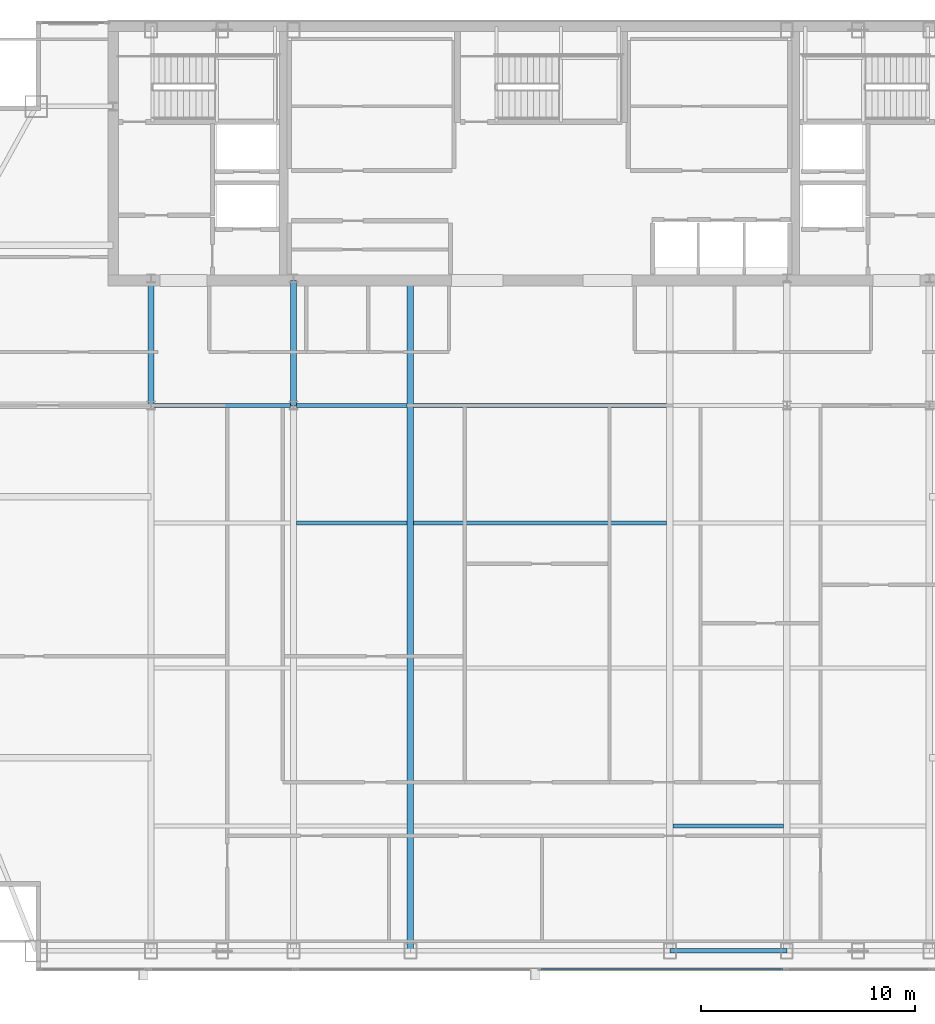
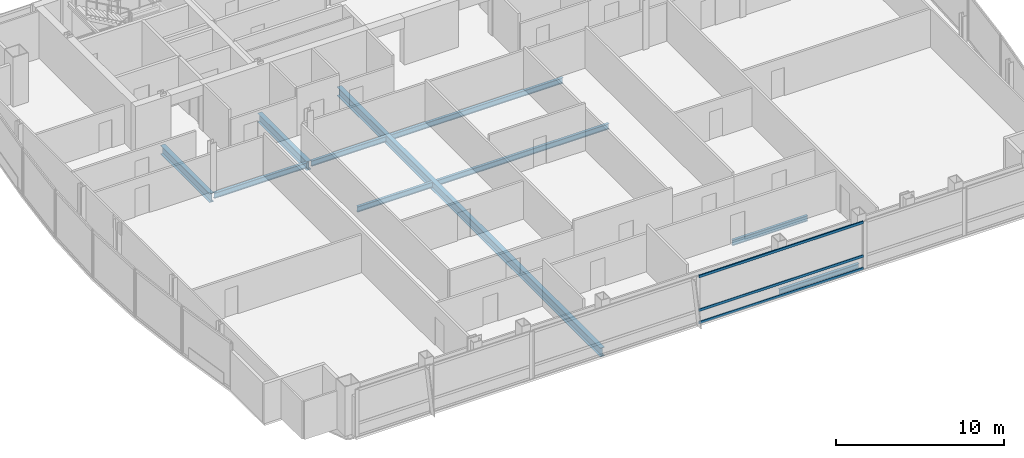
# One storey, part 13 of 30: 10 beams, 3 members, 1 element without a shape of its own.
"""IFC4 building model written with IfcOpenShell, lengths in metres."""

from ifc_helpers import new_model, si_unit, direction, frame, origin, origin_2d, place, context, subcontext, project, spatial, hollow_rectangle, i_section, extrude, material, material_profile, profile_set, type_object, element, aggregate, save


model = new_model("IFC4")

# Units and contexts
model_context = context("Model", 3, precision=1e-05, world=origin(), true_north=direction((0.0, 1.0)))
body_context = subcontext(model_context, "Body", "Model", "MODEL_VIEW")
ifc_project = project(units=[si_unit("LENGTHUNIT", "METRE"), si_unit("AREAUNIT", "SQUARE_METRE"), si_unit("VOLUMEUNIT", "CUBIC_METRE"), si_unit("PLANEANGLEUNIT", "RADIAN"), si_unit("MASSUNIT", "GRAM", prefix="KILO")], contexts=[model_context])

# Site, building, storey
site_placement = place(None, origin())
site = spatial("IfcSite", under=ifc_project, at=site_placement, CompositionType="ELEMENT")
building_placement = place(site_placement, origin())
building = spatial("IfcBuilding", under=site, at=building_placement, Name="Khoronbel Lancet Exchange", CompositionType="ELEMENT")
storey_placement = place(building_placement, frame((0.0, 0.0, 280.60009765625)))
storey = spatial("IfcBuildingStorey", under=building, at=storey_placement, Name="L72", CompositionType="ELEMENT", Elevation=280.60009765625)

# Beams
ifc_material_1 = material(Name="Steel S355", Category="steel")
ifc_material_profile_1 = material_profile(ifc_material_1, i_section(OverallWidth=0.300048828125, OverallDepth=0.64990234375, WebThickness=0.01611328125, FlangeThickness=0.031005859375, at=origin_2d()), Name="HEB 650")
ifc_profile_set_1 = profile_set([ifc_material_profile_1], Name="Steel S355")
beam_type_1 = type_object("IfcBeamType", Name="BM-BG4", PredefinedType="BEAM", material=ifc_profile_set_1)
for number, where, z_axis, x_axis, name in (
    (1, (18.22509765625, 35.699951171875, -0.485107421875), (0.0, 1.0, 0.0), (-1.0, 0.0, 0.0), "Level L72 spine tie girder GN1"),
    (2, (24.89990234375, 35.699951171875, -0.485107421875), (0.0, 1.0, 0.0), (-1.0, 0.0, 0.0), "Level L72 spine tie girder GN2"),
):
    element("IfcBeam", number, at=place(storey_placement, frame(where, z_axis=z_axis, x_axis=x_axis)), inside=storey, type_object=beam_type_1, Name=name, PredefinedType="BEAM", context=body_context, shape_type="SweptSolid", body=[
        extrude(i_section(OverallWidth=0.300048828125, OverallDepth=0.64990234375, WebThickness=0.01611328125, FlangeThickness=0.031005859375, at=origin_2d()), origin(), (0.0, 0.0, 1.0), 5.85009765625),
    ])
beam_1_placement = place(storey_placement, frame((30.375, 10.14990234375, -0.485107421875), z_axis=(0.0, 1.0, 0.0), x_axis=(-1.0, 0.0, 0.0)))
element("IfcBeam", 3, at=beam_1_placement, inside=storey, type_object=beam_type_1, Name="Level L72 primary floor girder G3", PredefinedType="BEAM", context=body_context, shape_type="SweptSolid", body=[
    extrude(i_section(OverallWidth=0.300048828125, OverallDepth=0.64990234375, WebThickness=0.01611328125, FlangeThickness=0.031005859375, at=origin_2d()), origin(), (0.0, 0.0, 1.0), 31.400146484375),
])
ifc_material_profile_2 = material_profile(ifc_material_1, i_section(OverallWidth=0.179931640625, OverallDepth=0.39990234375, WebThickness=0.008544921875, FlangeThickness=0.013427734375, at=origin_2d()), Name="IPE 400")
ifc_profile_set_2 = profile_set([ifc_material_profile_2], Name="Steel S355")
beam_type_2 = type_object("IfcBeamType", Name="BM-BJ5", PredefinedType="JOIST", material=ifc_profile_set_2)
for number, where, z_axis, x_axis, name in (
    (4, (42.675048828125, 16.0, -0.360107421875), (1.0, 0.0, 0.0), (0.0, 1.0, 0.0), "Level L72 secondary composite joist J04"),
    (5, (25.050048828125, 30.199951171875, -0.360107421875), (1.0, 0.0, 0.0), (0.0, 1.0, 0.0), "Level L72 secondary composite joist J12"),
):
    element("IfcBeam", number, at=place(storey_placement, frame(where, z_axis=z_axis, x_axis=x_axis)), inside=storey, type_object=beam_type_2, Name=name, PredefinedType="JOIST", context=body_context, shape_type="SweptSolid", body=[
        extrude(i_section(OverallWidth=0.179931640625, OverallDepth=0.39990234375, WebThickness=0.008544921875, FlangeThickness=0.013427734375, at=origin_2d()), origin(), (0.0, 0.0, 1.0), 5.175048828125),
    ])
beam_2_placement = place(storey_placement, frame((30.52490234375, 30.199951171875, -0.360107421875), z_axis=(1.0, 0.0, 0.0), x_axis=(0.0, 1.0, 0.0)))
element("IfcBeam", 6, at=beam_2_placement, inside=storey, type_object=beam_type_2, Name="Level L72 secondary composite joist J13", PredefinedType="JOIST", context=body_context, shape_type="SweptSolid", body=[
    extrude(i_section(OverallWidth=0.179931640625, OverallDepth=0.39990234375, WebThickness=0.008544921875, FlangeThickness=0.013427734375, at=origin_2d()), origin(), (0.0, 0.0, 1.0), 11.85009765625),
])
beam_3_placement = place(storey_placement, frame((18.375, 35.699951171875, -0.360107421875), z_axis=(1.0, 0.0, 0.0), x_axis=(0.0, 1.0, 0.0)))
element("IfcBeam", 7, at=beam_3_placement, inside=storey, type_object=beam_type_2, Name="Level L72 secondary composite joist J16", PredefinedType="JOIST", context=body_context, shape_type="SweptSolid", body=[
    extrude(i_section(OverallWidth=0.179931640625, OverallDepth=0.39990234375, WebThickness=0.008544921875, FlangeThickness=0.013427734375, at=origin_2d()), origin(), (0.0, 0.0, 1.0), 6.375),
])
beam_4_placement = place(storey_placement, frame((25.050048828125, 35.699951171875, -0.360107421875), z_axis=(1.0, 0.0, 0.0), x_axis=(0.0, 1.0, 0.0)))
element("IfcBeam", 8, at=beam_4_placement, inside=storey, type_object=beam_type_2, Name="Level L72 secondary composite joist J17", PredefinedType="JOIST", context=body_context, shape_type="SweptSolid", body=[
    extrude(i_section(OverallWidth=0.179931640625, OverallDepth=0.39990234375, WebThickness=0.008544921875, FlangeThickness=0.013427734375, at=origin_2d()), origin(), (0.0, 0.0, 1.0), 5.175048828125),
])
beam_5_placement = place(storey_placement, frame((30.52490234375, 35.699951171875, -0.360107421875), z_axis=(1.0, 0.0, 0.0), x_axis=(0.0, 1.0, 0.0)))
element("IfcBeam", 9, at=beam_5_placement, inside=storey, type_object=beam_type_2, Name="Level L72 secondary composite joist J18", PredefinedType="JOIST", context=body_context, shape_type="SweptSolid", body=[
    extrude(i_section(OverallWidth=0.179931640625, OverallDepth=0.39990234375, WebThickness=0.008544921875, FlangeThickness=0.013427734375, at=origin_2d()), origin(), (0.0, 0.0, 1.0), 11.85009765625),
])
ifc_material_profile_3 = material_profile(ifc_material_1, i_section(OverallWidth=0.2099609375, OverallDepth=0.550048828125, WebThickness=0.010986328125, FlangeThickness=0.01708984375, at=origin_2d()), Name="IPE 550")
ifc_profile_set_3 = profile_set([ifc_material_profile_3], Name="Steel S355")
beam_type_3 = type_object("IfcBeamType", Name="BM-BSP3", PredefinedType="SPANDREL", material=ifc_profile_set_3)
beam_6_placement = place(storey_placement, frame((42.52490234375, 10.14990234375, -0.43505859375), z_axis=(1.0, 0.0, 0.0), x_axis=(0.0, 1.0, 0.0)))
element("IfcBeam", 10, at=beam_6_placement, inside=storey, type_object=beam_type_3, Name="Level L72 perimeter spandrel beam SP06", PredefinedType="SPANDREL", context=body_context, shape_type="SweptSolid", body=[
    extrude(i_section(OverallWidth=0.2099609375, OverallDepth=0.550048828125, WebThickness=0.010986328125, FlangeThickness=0.01708984375, at=origin_2d()), origin(), (0.0, 0.0, 1.0), 5.47509765625),
])

# Curtain wall, members
ifc_material_2 = material(Name="Low-E Solar Control Insulating Glass", Category="glass")
curtain_wall_type = type_object("IfcCurtainWallType", Name="CW-3", PredefinedType="NOTDEFINED", material=ifc_material_2)
curtain_wall_placement = place(storey_placement, origin())
curtain_wall = element("IfcCurtainWall", 11, at=curtain_wall_placement, inside=storey, type_object=curtain_wall_type, Name="Unitised curtain wall CW-L72-SCV", PredefinedType="NOTDEFINED")
ifc_material_3 = material(Name="Bronze-Anodised Aluminium 6063-T6", Category="aluminium")
ifc_material_profile_4 = material_profile(ifc_material_3, hollow_rectangle(XDim=0.0849609375, YDim=0.179931640625, WallThickness=0.0048828125, at=origin_2d()), Name="ALU TRANSOM 85x180")
ifc_profile_set_4 = profile_set([ifc_material_profile_4], Name="Bronze-Anodised Aluminium 6063-T6")
member_type = type_object("IfcMemberType", Name="MEM-CWT1", PredefinedType="USERDEFINED", material=ifc_profile_set_4)
member_1_placement = place(storey_placement, frame((36.492431640625, 9.2900390625, 0.04248046875), z_axis=(1.0, 0.0, 0.0), x_axis=(0.0, 1.0, 0.0)))
member_1 = element("IfcMember", 12, at=member_1_placement, type_object=member_type, Name="CW3 transom 2.1", ObjectType="TRANSOM", PredefinedType="USERDEFINED", context=body_context, shape_type="SweptSolid", body=[
    extrude(hollow_rectangle(XDim=0.0849609375, YDim=0.179931640625, WallThickness=0.0048828125, at=origin_2d()), origin(), (0.0, 0.0, 1.0), 11.322509765625),
])
member_2_placement = place(storey_placement, frame((36.492431640625, 9.2900390625, 0.949951171875), z_axis=(1.0, 0.0, 0.0), x_axis=(0.0, 1.0, 0.0)))
member_2 = element("IfcMember", 13, at=member_2_placement, type_object=member_type, Name="CW3 transom 2.2", ObjectType="TRANSOM", PredefinedType="USERDEFINED", context=body_context, shape_type="SweptSolid", body=[
    extrude(hollow_rectangle(XDim=0.0849609375, YDim=0.179931640625, WallThickness=0.0048828125, at=origin_2d()), origin(), (0.0, 0.0, 1.0), 11.322509765625),
])
member_3_placement = place(storey_placement, frame((36.492431640625, 9.2900390625, 3.3974609375), z_axis=(1.0, 0.0, 0.0), x_axis=(0.0, 1.0, 0.0)))
member_3 = element("IfcMember", 14, at=member_3_placement, type_object=member_type, Name="CW3 transom 2.3", ObjectType="TRANSOM", PredefinedType="USERDEFINED", context=body_context, shape_type="SweptSolid", body=[
    extrude(hollow_rectangle(XDim=0.0849609375, YDim=0.179931640625, WallThickness=0.0048828125, at=origin_2d()), origin(), (0.0, 0.0, 1.0), 11.322509765625),
])
aggregate(curtain_wall, [member_1, member_2, member_3])

save(model, "model.ifc")
